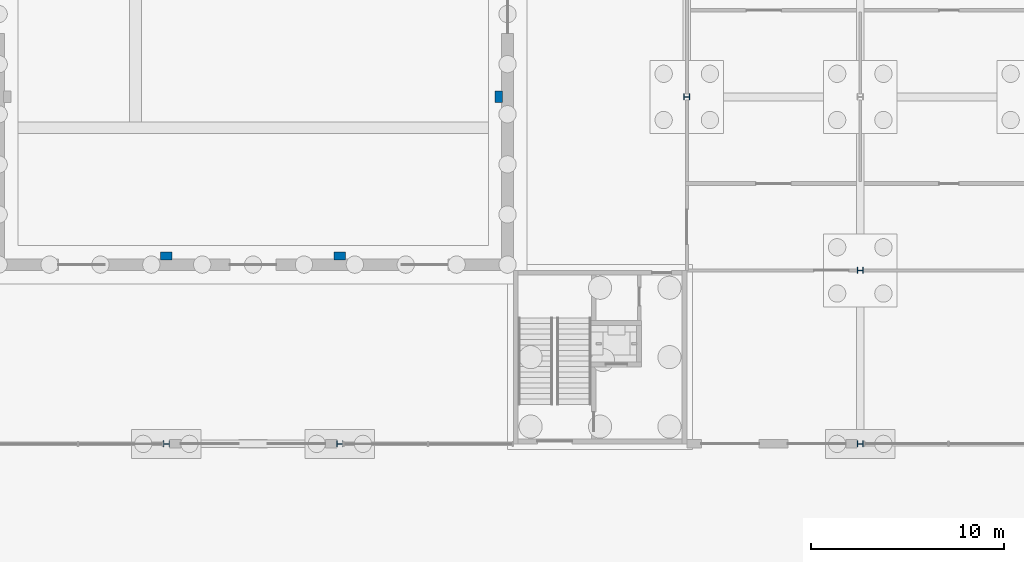
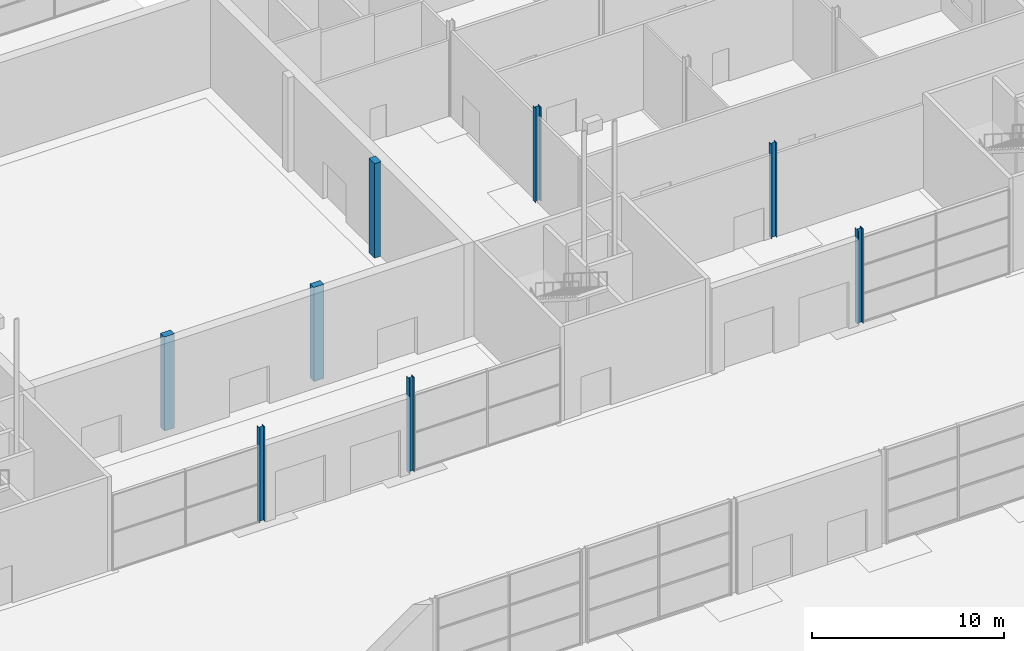
# One storey, part 27 of 97: 8 columns.
"""IFC4 building model written with IfcOpenShell, lengths in metres."""

from ifc_helpers import new_model, si_unit, direction, frame, origin, origin_2d, place, context, subcontext, project, spatial, rectangle, i_section, extrude, material, material_profile, profile_set, type_object, element, save


model = new_model("IFC4")

# Units and contexts
model_context = context("Model", 3, precision=1e-05, world=origin(), true_north=direction((0.0, 1.0)))
body_context = subcontext(model_context, "Body", "Model", "MODEL_VIEW")
ifc_project = project(units=[si_unit("LENGTHUNIT", "METRE"), si_unit("AREAUNIT", "SQUARE_METRE"), si_unit("VOLUMEUNIT", "CUBIC_METRE"), si_unit("PLANEANGLEUNIT", "RADIAN"), si_unit("MASSUNIT", "GRAM", prefix="KILO")], contexts=[model_context])

# Site, building, storey
site_placement = place(None, origin())
site = spatial("IfcSite", under=ifc_project, at=site_placement, CompositionType="ELEMENT")
building_placement = place(site_placement, origin())
building = spatial("IfcBuilding", under=site, at=building_placement, Name="Corbel Yard City Hall", CompositionType="ELEMENT")
storey_placement = place(building_placement, origin())
storey = spatial("IfcBuildingStorey", under=building, at=storey_placement, Name="L00", CompositionType="ELEMENT", Elevation=0.0)

# Columns
ifc_material_1 = material(Name="Concrete N50 (50 MPa)", Category="concrete")
ifc_material_profile_1 = material_profile(ifc_material_1, rectangle(XDim=0.60009765625, YDim=0.39990234375, at=origin_2d()), Name="600x400")
ifc_profile_set_1 = profile_set([ifc_material_profile_1], Name="Concrete N50 (50 MPa)")
column_type_1 = type_object("IfcColumnType", Name="Chamber pilaster RC 600X400", PredefinedType="PILASTER", material=ifc_profile_set_1)
for number, where, z_axis, x_axis, name in (
    (1, (126.0, 54.75, 0.0), (0.0, 0.0, 1.0), (1.0, 0.0, 0.0), "Chamber pilaster RC 600X400 RC1 L00"),
    (2, (135.0, 54.75, 0.0), (0.0, 0.0, 1.0), (1.0, 0.0, 0.0), "Chamber pilaster RC 600X400 RC1 L00"),
    (3, (143.25, 63.0, 0.0), (0.0, 0.0, 1.0), (0.0, 1.0, 0.0), "Chamber pilaster RC 600X400 RC1 L00"),
):
    element("IfcColumn", number, at=place(storey_placement, frame(where, z_axis=z_axis, x_axis=x_axis)), inside=storey, type_object=column_type_1, Name=name, PredefinedType="PILASTER", context=body_context, shape_type="SweptSolid", body=[
        extrude(rectangle(XDim=0.60009765625, YDim=0.39990234375, at=origin_2d()), origin(), (0.0, 0.0, 1.0), 6.0),
    ])
ifc_material_2 = material(Name="Steel Grade 300 (300 MPa yield)", Category="steel")
ifc_material_profile_2 = material_profile(ifc_material_2, i_section(OverallWidth=0.306884765625, OverallDepth=0.31494140625, WebThickness=0.011962890625, FlangeThickness=0.018798828125, at=origin_2d()), Name="310UC118")
ifc_profile_set_2 = profile_set([ifc_material_profile_2], Name="Steel Grade 300 (300 MPa yield)")
column_type_2 = type_object("IfcColumnType", Name="Column 310UC118", PredefinedType="COLUMN", material=ifc_profile_set_2)
for number, where, z_axis, x_axis, name in (
    (4, (126.0, 45.0, 0.0), (0.0, 0.0, 1.0), (0.0, 1.0, 0.0), "Column 310UC118 F/15 L00"),
    (5, (135.0, 45.0, 0.0), (0.0, 0.0, 1.0), (0.0, 1.0, 0.0), "Column 310UC118 F/16 L00"),
    (6, (162.0, 45.0, 0.0), (0.0, 0.0, 1.0), (0.0, 1.0, 0.0), "Column 310UC118 F/19 L00"),
):
    element("IfcColumn", number, at=place(storey_placement, frame(where, z_axis=z_axis, x_axis=x_axis)), inside=storey, type_object=column_type_2, Name=name, PredefinedType="COLUMN", context=body_context, shape_type="SweptSolid", body=[
        extrude(i_section(OverallWidth=0.306884765625, OverallDepth=0.31494140625, WebThickness=0.011962890625, FlangeThickness=0.018798828125, at=origin_2d()), origin(), (0.0, 0.0, 1.0), 6.0),
    ])
ifc_material_profile_3 = material_profile(ifc_material_2, i_section(OverallWidth=0.31103515625, OverallDepth=0.326904296875, WebThickness=0.015625, FlangeThickness=0.02490234375, at=origin_2d()), Name="310UC158")
ifc_profile_set_3 = profile_set([ifc_material_profile_3], Name="Steel Grade 300 (300 MPa yield)")
column_type_3 = type_object("IfcColumnType", Name="Column 310UC158", PredefinedType="COLUMN", material=ifc_profile_set_3)
for number, where, z_axis, x_axis, name in (
    (7, (153.0, 63.0, 0.0), (0.0, 0.0, 1.0), (0.0, 1.0, 0.0), "Column 310UC158 H/18 L00"),
    (8, (162.0, 54.0, 0.0), (0.0, 0.0, 1.0), (0.0, 1.0, 0.0), "Column 310UC158 G/19 L00"),
):
    element("IfcColumn", number, at=place(storey_placement, frame(where, z_axis=z_axis, x_axis=x_axis)), inside=storey, type_object=column_type_3, Name=name, PredefinedType="COLUMN", context=body_context, shape_type="SweptSolid", body=[
        extrude(i_section(OverallWidth=0.31103515625, OverallDepth=0.326904296875, WebThickness=0.015625, FlangeThickness=0.02490234375, at=origin_2d()), origin(), (0.0, 0.0, 1.0), 6.0),
    ])

save(model, "model.ifc")
